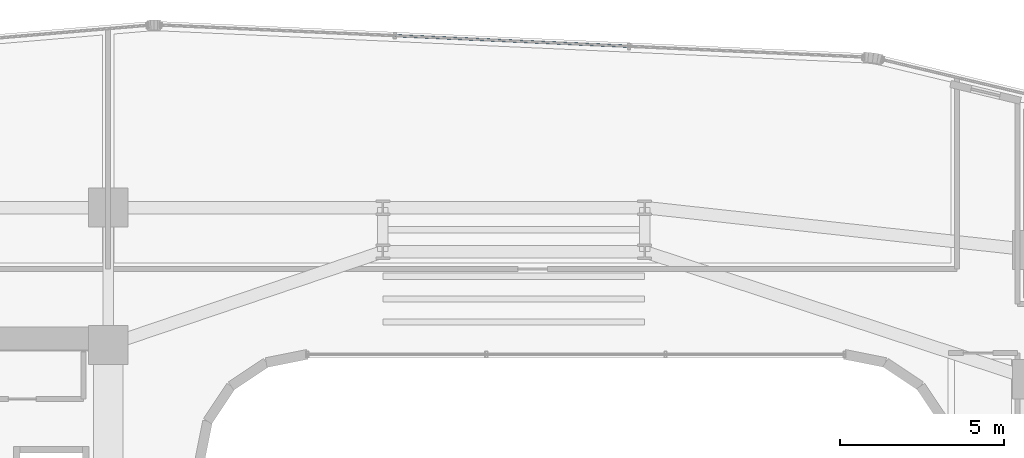
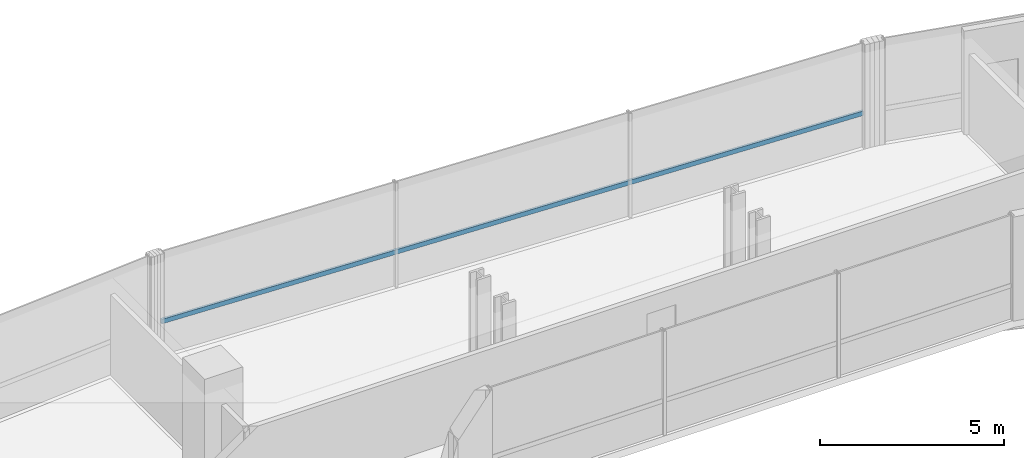
# One storey, part 22 of 34: 1 member, 1 element without a shape of its own.
"""IFC4 building model written with IfcOpenShell, lengths in metres."""

from ifc_helpers import new_model, si_unit, direction, frame, origin, origin_2d, place, context, subcontext, project, spatial, hollow_rectangle, extrude, source, transform, mapped, material, material_profile, profile_set, type_object, element, aggregate, save


model = new_model("IFC4")

# Units and contexts
model_context = context("Model", 3, precision=1e-05, world=origin(), true_north=direction((0.0, 1.0)))
body_context = subcontext(model_context, "Body", "Model", "MODEL_VIEW")
ifc_project = project(units=[si_unit("LENGTHUNIT", "METRE"), si_unit("AREAUNIT", "SQUARE_METRE"), si_unit("VOLUMEUNIT", "CUBIC_METRE"), si_unit("PLANEANGLEUNIT", "RADIAN"), si_unit("MASSUNIT", "GRAM", prefix="KILO")], contexts=[model_context])

# Site, building, storey
site_placement = place(None, origin())
site = spatial("IfcSite", under=ifc_project, at=site_placement, CompositionType="ELEMENT")
building_placement = place(site_placement, origin())
building = spatial("IfcBuilding", under=site, at=building_placement, Name="Valdorenza Pilgrim Sanctuary Tower", CompositionType="ELEMENT")
storey_placement = place(building_placement, frame((0.0, 0.0, 120.5)))
storey = spatial("IfcBuildingStorey", under=building, at=storey_placement, Name="L30", CompositionType="ELEMENT", Elevation=120.5)

# Curtain wall, member
ifc_material_1 = material(Name="Curtain-wall IGU glazing", Category="glass")
curtain_wall_type = type_object("IfcCurtainWallType", Name="CW-SYS-02", PredefinedType="NOTDEFINED", material=ifc_material_1)
curtain_wall_placement = place(storey_placement, origin())
curtain_wall = element("IfcCurtainWall", 1, at=curtain_wall_placement, inside=storey, type_object=curtain_wall_type, Name="L30 Curtain Wall CW-L30-1-11", PredefinedType="NOTDEFINED")
ifc_material_2 = material(Name="Anodised aluminium AW-6060", Category="aluminium")
ifc_material_profile = material_profile(ifc_material_2, hollow_rectangle(XDim=0.074951171875, YDim=0.14990234375, WallThickness=0.00390625, at=origin_2d()), Name="ALU-T 150x75x4")
ifc_profile_set = profile_set([ifc_material_profile], Name="Anodised aluminium AW-6060")
member_type = type_object("IfcMemberType", Name="CW-TRN-02", PredefinedType="USERDEFINED", material=ifc_profile_set)
shared_shape = source(origin(), body_context, "Body", "SweptSolid", [
    extrude(hollow_rectangle(XDim=0.074951171875, YDim=0.14990234375, WallThickness=0.00390625, at=origin_2d()), origin(), (0.0, 0.0, 1.0), 21.5078125),
])
member_placement = place(storey_placement, frame((-10.795654296875, 20.380615234375, 1.1201171875), z_axis=(0.99896865723, -0.045405086403, 0.0), x_axis=(0.045405086403, 0.99896865723, 0.0)))
member = element("IfcMember", 2, at=member_placement, type_object=member_type, Name="CW-L30-1-11 Transom 1", ObjectType="TRANSOM", PredefinedType="USERDEFINED", context=body_context, shape_type="MappedRepresentation", body=[
    mapped(shared_shape, transform((0.0, 0.0, 0.0), x_axis=(1.0, 0.0, 0.0), y_axis=(0.0, 1.0, 0.0), z_axis=(0.0, 0.0, 1.0), scale=1.0)),
])
aggregate(curtain_wall, [member])

save(model, "model.ifc")
